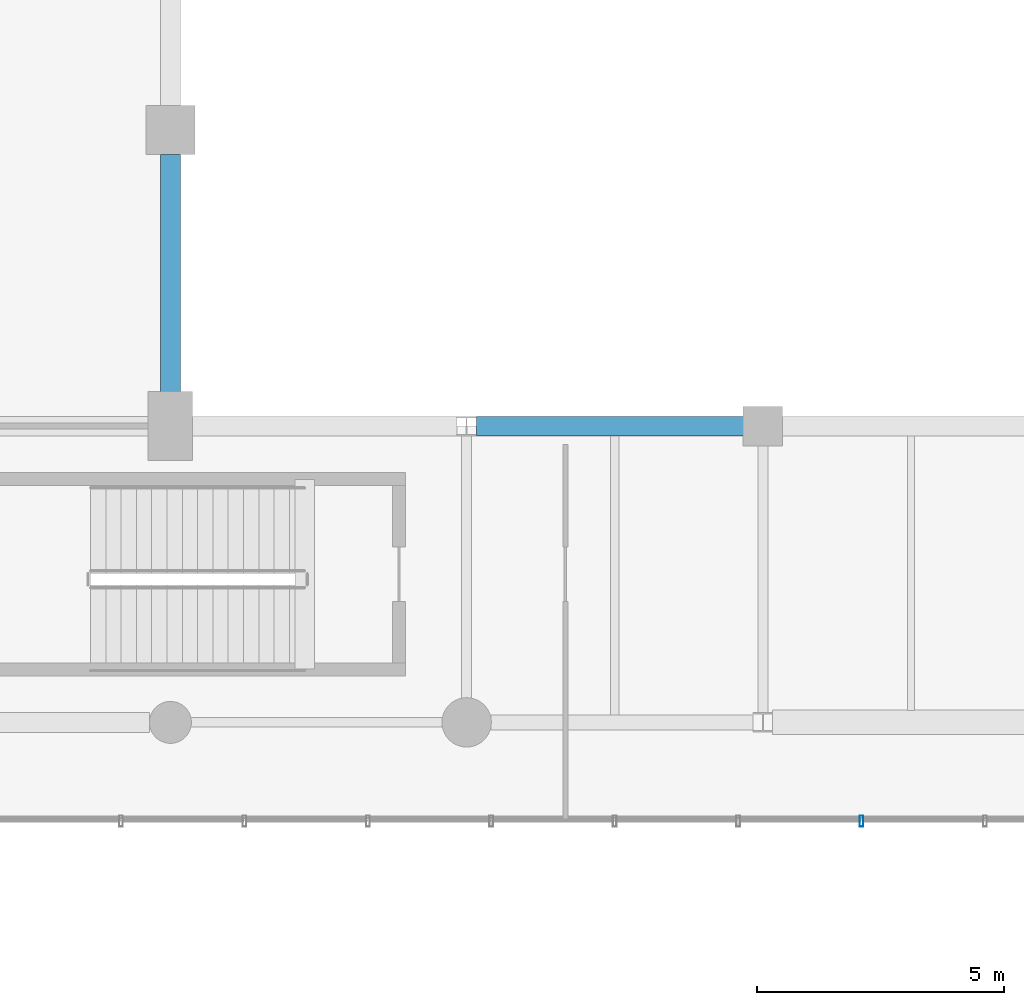
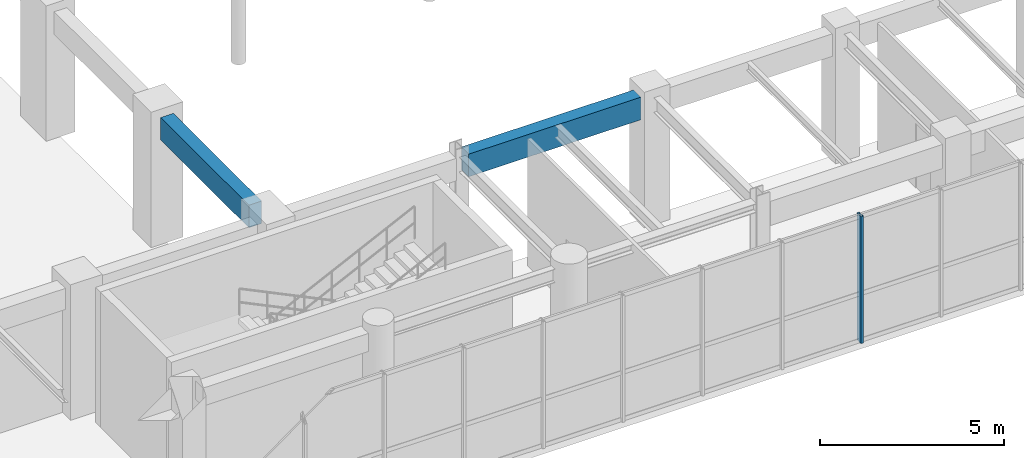
# One storey, part 28 of 133: 2 beams, 1 member, 1 element without a shape of its own.
"""IFC4 building model written with IfcOpenShell, lengths in metres."""

from ifc_helpers import new_model, si_unit, direction, frame, origin, origin_2d, place, context, subcontext, project, spatial, rectangle, hollow_rectangle, extrude, material, material_profile, profile_set, type_object, element, aggregate, save


model = new_model("IFC4")

# Units and contexts
model_context = context("Model", 3, precision=1e-05, world=origin(), true_north=direction((0.0, 1.0)))
body_context = subcontext(model_context, "Body", "Model", "MODEL_VIEW")
ifc_project = project(units=[si_unit("LENGTHUNIT", "METRE"), si_unit("AREAUNIT", "SQUARE_METRE"), si_unit("VOLUMEUNIT", "CUBIC_METRE"), si_unit("PLANEANGLEUNIT", "RADIAN"), si_unit("MASSUNIT", "GRAM", prefix="KILO"), si_unit("THERMODYNAMICTEMPERATUREUNIT", "KELVIN"), si_unit("POWERUNIT", "WATT")], contexts=[model_context])

# Site, building, storey
site_placement = place(None, origin())
site = spatial("IfcSite", under=ifc_project, at=site_placement, CompositionType="ELEMENT")
building_placement = place(site_placement, origin())
building = spatial("IfcBuilding", under=site, at=building_placement, Name="Phaisarnlok Congress Hotel", CompositionType="ELEMENT")
storey_placement = place(building_placement, frame((0.0, 0.0, 6.0)))
storey = spatial("IfcBuildingStorey", under=building, at=storey_placement, Name="L01", CompositionType="ELEMENT", Elevation=6.0)

# Curtain wall, member
ifc_material_1 = material(Name="Thermally Broken Unitised Aluminium & Low-E Glazing", Category="aluminium")
curtain_wall_type = type_object("IfcCurtainWallType", Name="CW-UNIT-22", PredefinedType="NOTDEFINED", material=ifc_material_1)
curtain_wall_placement = place(storey_placement, origin())
curtain_wall = element("IfcCurtainWall", 1, at=curtain_wall_placement, inside=storey, type_object=curtain_wall_type, Name="Unitised curtain wall CW-22 (L01)", PredefinedType="NOTDEFINED")
ifc_material_2 = material(Name="Anodised Aluminium Alloy 6063-T6", Category="aluminium")
ifc_material_profile_1 = material_profile(ifc_material_2, hollow_rectangle(XDim=0.074951171875, YDim=0.219970703125, WallThickness=0.0048828125, at=origin_2d()), Name="ALU-M 75x220x5")
ifc_profile_set_1 = profile_set([ifc_material_profile_1], Name="Anodised Aluminium Alloy 6063-T6")
member_type = type_object("IfcMemberType", Name="CWM-220", PredefinedType="MULLION", material=ifc_profile_set_1)
member_placement = place(storey_placement, frame((80.0, 34.0, 0.0), z_axis=(0.0, 0.0, 1.0), x_axis=(1.0, 0.0, 0.0)))
member = element("IfcMember", 2, at=member_placement, type_object=member_type, Name="Curtain wall mullion CWM-02", PredefinedType="MULLION", context=body_context, shape_type="SweptSolid", body=[
    extrude(hollow_rectangle(XDim=0.074951171875, YDim=0.219970703125, WallThickness=0.0048828125, at=origin_2d()), origin(), (0.0, 0.0, 1.0), 4.219970703125),
])
aggregate(curtain_wall, [member])

# Beams
ifc_material_3 = material(Name="Concrete C40/50", Category="concrete")
ifc_material_profile_2 = material_profile(ifc_material_3, rectangle(XDim=0.39990234375, YDim=0.75, at=origin_2d()), Name="RC 400x750")
ifc_profile_set_2 = profile_set([ifc_material_profile_2], Name="Concrete C40/50")
beam_type = type_object("IfcBeamType", Name="SP-RC-400x750", PredefinedType="SPANDREL", material=ifc_profile_set_2)
beam_1_placement = place(storey_placement, frame((66.0, 42.695068359375, 3.844970703125), z_axis=(0.0, 1.0, 0.0), x_axis=(-1.0, 0.0, 0.0)))
element("IfcBeam", 3, at=beam_1_placement, inside=storey, type_object=beam_type, Name="Beam SP-02", PredefinedType="SPANDREL", context=body_context, shape_type="SweptSolid", body=[
    extrude(rectangle(XDim=0.39990234375, YDim=0.75, at=origin_2d()), origin(), (0.0, 0.0, 1.0), 4.809814453125),
])
beam_2_placement = place(storey_placement, frame((72.195556640625, 42.0, 3.844970703125), z_axis=(1.0, 0.0, 0.0), x_axis=(0.0, 1.0, 0.0)))
element("IfcBeam", 4, at=beam_2_placement, inside=storey, type_object=beam_type, Name="Beam SP-02", PredefinedType="SPANDREL", context=body_context, shape_type="SweptSolid", body=[
    extrude(rectangle(XDim=0.39990234375, YDim=0.75, at=origin_2d()), origin(), (0.0, 0.0, 1.0), 5.409423828125),
])

save(model, "model.ifc")
